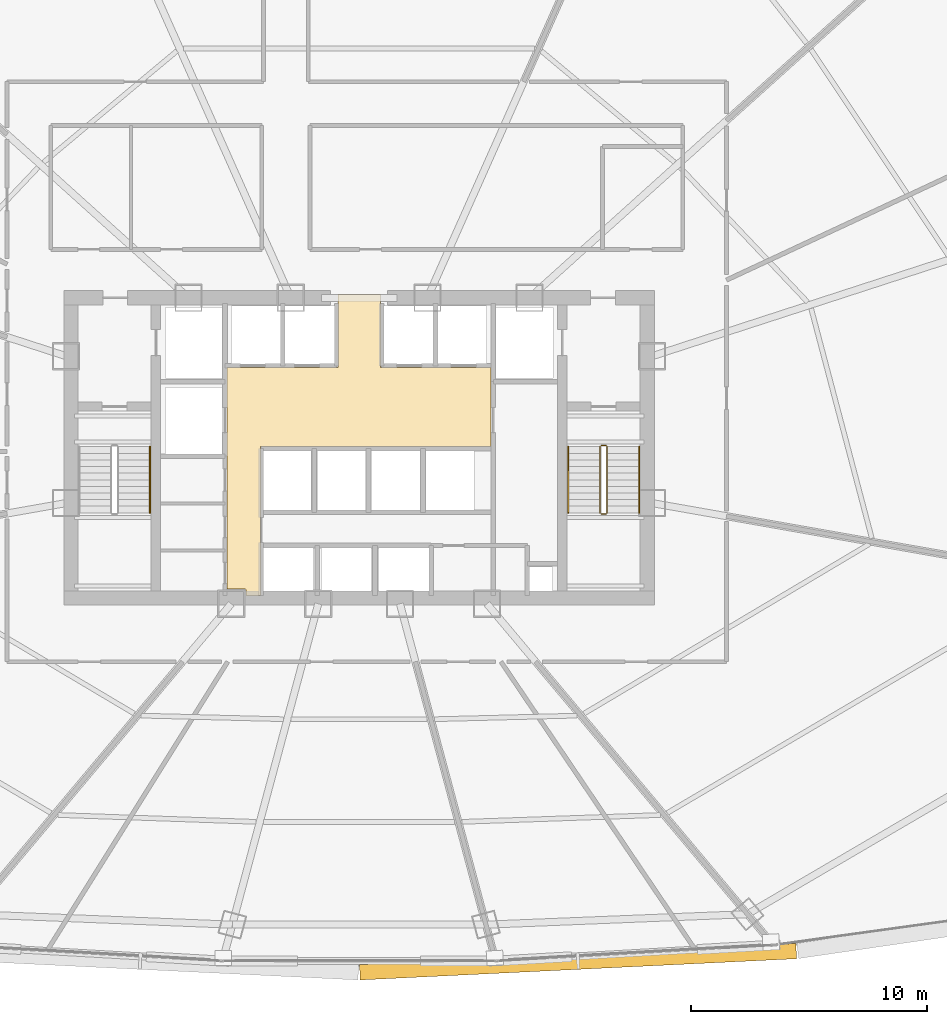
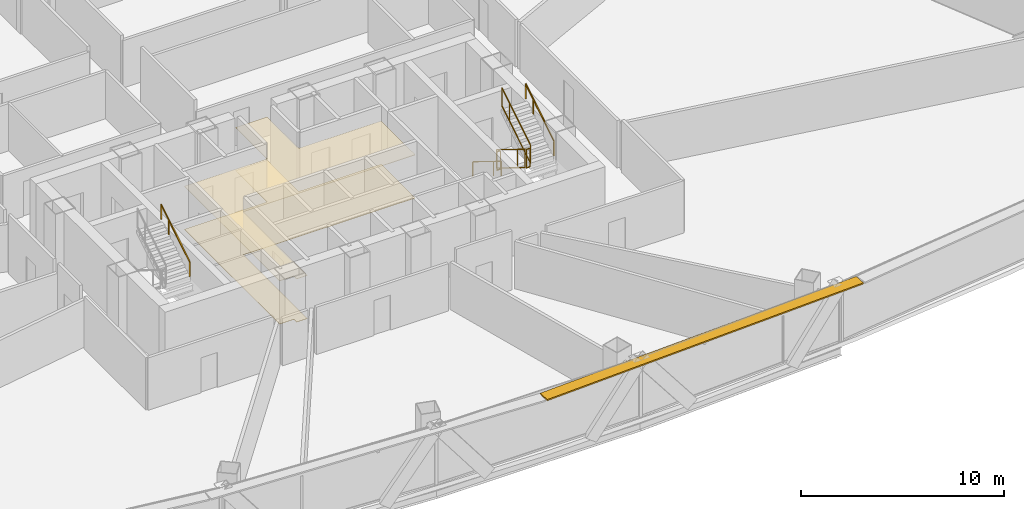
# One storey, part 34 of 36: 7 railings, 2 coverings, 1 shading device.
"""IFC4 building model written with IfcOpenShell, lengths in metres."""

from ifc_helpers import new_model, si_unit, direction, frame, origin, origin_2d, place, context, subcontext, project, spatial, polyline, rectangle, outline, extrude, source, transform, mapped, material, layer, layer_set, type_object, element, save


model = new_model("IFC4")

# Units and contexts
model_context = context("Model", 3, precision=1e-05, world=origin(), true_north=direction((0.0, 1.0)))
body_context = subcontext(model_context, "Body", "Model", "MODEL_VIEW")
ifc_project = project(units=[si_unit("LENGTHUNIT", "METRE"), si_unit("AREAUNIT", "SQUARE_METRE"), si_unit("VOLUMEUNIT", "CUBIC_METRE"), si_unit("PLANEANGLEUNIT", "RADIAN"), si_unit("MASSUNIT", "GRAM", prefix="KILO"), si_unit("THERMODYNAMICTEMPERATUREUNIT", "KELVIN"), si_unit("POWERUNIT", "WATT")], contexts=[model_context])

# Site, building, storey
site_placement = place(None, origin())
site = spatial("IfcSite", under=ifc_project, at=site_placement, CompositionType="ELEMENT")
building_placement = place(site_placement, origin())
building = spatial("IfcBuilding", under=site, at=building_placement, Name="Yunzhuo Pagoda Commons", CompositionType="ELEMENT")
storey_placement = place(building_placement, frame((0.0, 0.0, 107.780029296875)))
storey = spatial("IfcBuildingStorey", under=building, at=storey_placement, Name="L27", CompositionType="ELEMENT", Elevation=107.780029296875)

# Coverings
ifc_material_1 = material(Name="Mineral fibre acoustic ceiling board")
ifc_layer_1 = layer(ifc_material_1, 0.02490234375)
ifc_layer_set_1 = layer_set([ifc_layer_1], Name="Mineral fibre acoustic ceiling board")
covering_type_1 = type_object("IfcCoveringType", Name="COV-CL1 Ceiling 25", PredefinedType="CEILING", material=ifc_layer_set_1)
covering_1_placement = place(storey_placement, frame((0.0, 0.0, 2.590087890625)))
element("IfcCovering", 1, at=covering_1_placement, inside=storey, type_object=covering_type_1, Name="L27 lift lobby acoustic ceiling", PredefinedType="CEILING", context=body_context, shape_type="SweptSolid", body=[
    extrude(outline(polyline([(43.207763671875, 27.85009765625), (43.201904296875, 27.864013671875), (43.187744140625, 27.8701171875), (42.39990234375, 27.8701171875), (42.39990234375, 33.89990234375), (42.39990234375, 37.25), (47.10009765625, 37.25), (47.10009765625, 40.35009765625), (48.89990234375, 40.35009765625), (48.89990234375, 37.25), (53.580078125, 37.25), (53.580078125, 33.89990234375), (43.820068359375, 33.89990234375), (43.820068359375, 27.60009765625), (43.207763671875, 27.60009765625), (43.207763671875, 27.85009765625)])), origin(), (0.0, 0.0, 1.0), 0.02490234375),
])
ifc_material_2 = material(Name="Porcelain ceramic floor tile")
ifc_layer_2 = layer(ifc_material_2, 0.02001953125)
ifc_layer_set_2 = layer_set([ifc_layer_2], Name="Porcelain ceramic floor tile")
covering_type_2 = type_object("IfcCoveringType", Name="COV-FL1 Flooring 20", PredefinedType="FLOORING", material=ifc_layer_set_2)
covering_2_placement = place(storey_placement, origin())
element("IfcCovering", 2, at=covering_2_placement, inside=storey, type_object=covering_type_2, Name="L27 lift lobby flooring", PredefinedType="FLOORING", context=body_context, shape_type="SweptSolid", body=[
    extrude(outline(polyline([(43.207763671875, 27.85009765625), (43.201904296875, 27.864013671875), (43.187744140625, 27.8701171875), (42.39990234375, 27.8701171875), (42.39990234375, 33.89990234375), (42.39990234375, 37.25), (47.10009765625, 37.25), (47.10009765625, 40.35009765625), (48.89990234375, 40.35009765625), (48.89990234375, 37.25), (53.580078125, 37.25), (53.580078125, 33.89990234375), (43.820068359375, 33.89990234375), (43.820068359375, 27.60009765625), (43.207763671875, 27.60009765625), (43.207763671875, 27.85009765625)])), origin(), (0.0, 0.0, 1.0), 0.02001953125),
])

# Railings
ifc_material_3 = material(Name="Anodized aluminium 6063-T6", Category="aluminium")
railing_type_1 = type_object("IfcRailingType", Name="GR-ST2 Stair Well Guardrail 1160", PredefinedType="GUARDRAIL", material=ifc_material_3)
railing_1_placement = place(storey_placement, frame((58.199951171875, 33.89990234375, 0.172607421875)))
element("IfcRailing", 3, at=railing_1_placement, inside=storey, type_object=railing_type_1, Name="L27 ST2 stair guard 1", PredefinedType="GUARDRAIL", context=body_context, shape_type="SweptSolid", body=[
    extrude(rectangle(XDim=0.048095703125, YDim=0.048095703125, at=origin_2d()), frame((0.0, 0.0, 1.1259765625), z_axis=(0.0, -0.851069175582, 0.525053576669), x_axis=(1.0, 0.0, 0.0)), (0.0, 0.0, 1.0), 3.289794921875),
    extrude(rectangle(XDim=0.048095703125, YDim=0.048095703125, at=origin_2d()), frame((0.0, 0.0, 0.02392578125), z_axis=(0.0, -0.851069175582, 0.525053576669), x_axis=(1.0, 0.0, 0.0)), (0.0, 0.0, 1.0), 3.289794921875),
    extrude(rectangle(XDim=0.0419921875, YDim=0.0419921875, at=origin_2d()), origin(), (0.0, 0.0, 1.0), 1.101806640625),
    extrude(rectangle(XDim=0.0419921875, YDim=0.0419921875, at=origin_2d()), frame((0.0, -2.04248046875, 1.260009765625)), (0.0, 0.0, 1.0), 1.101806640625),
    extrude(rectangle(XDim=0.0419921875, YDim=0.0419921875, at=origin_2d()), frame((0.0, -2.7998046875, 1.727294921875)), (0.0, 0.0, 1.0), 1.101806640625),
])
railing_2_placement = place(storey_placement, frame((58.25, 31.050048828125, 1.89990234375)))
element("IfcRailing", 4, at=railing_2_placement, inside=storey, type_object=railing_type_1, Name="L27 ST2 stair guard 2", PredefinedType="GUARDRAIL", context=body_context, shape_type="SweptSolid", body=[
    extrude(rectangle(XDim=0.048095703125, YDim=0.048095703125, at=origin_2d()), frame((0.0, 0.0, 1.1259765625), z_axis=(1.0, 0.0, 0.0), x_axis=(0.0, 1.0, 0.0)), (0.0, 0.0, 1.0), 0.199951171875),
    extrude(rectangle(XDim=0.048095703125, YDim=0.048095703125, at=origin_2d()), frame((0.0, 0.0, 0.02392578125), z_axis=(1.0, 0.0, 0.0), x_axis=(0.0, 1.0, 0.0)), (0.0, 0.0, 1.0), 0.199951171875),
    extrude(rectangle(XDim=0.0419921875, YDim=0.0419921875, at=origin_2d()), origin(), (0.0, 0.0, 1.0), 1.101806640625),
    extrude(rectangle(XDim=0.0419921875, YDim=0.0419921875, at=origin_2d()), frame((0.199951171875, 0.0, 0.0)), (0.0, 0.0, 1.0), 1.101806640625),
])
railing_3_placement = place(storey_placement, frame((58.5, 31.10009765625, 2.07275390625)))
element("IfcRailing", 5, at=railing_3_placement, inside=storey, type_object=railing_type_1, Name="L27 ST2 stair guard 3", PredefinedType="GUARDRAIL", context=body_context, shape_type="SweptSolid", body=[
    extrude(rectangle(XDim=0.048095703125, YDim=0.048095703125, at=origin_2d()), frame((0.0, 0.0, 1.1259765625), z_axis=(0.0, 0.851069175582, 0.525053576669), x_axis=(-1.0, 0.0, 0.0)), (0.0, 0.0, 1.0), 3.289794921875),
    extrude(rectangle(XDim=0.048095703125, YDim=0.048095703125, at=origin_2d()), frame((0.0, 0.0, 0.02392578125), z_axis=(0.0, 0.851069175582, 0.525053576669), x_axis=(-1.0, 0.0, 0.0)), (0.0, 0.0, 1.0), 3.289794921875),
    extrude(rectangle(XDim=0.0419921875, YDim=0.0419921875, at=origin_2d()), origin(), (0.0, 0.0, 1.0), 1.101806640625),
    extrude(rectangle(XDim=0.0419921875, YDim=0.0419921875, at=origin_2d()), frame((0.0, 2.04248046875, 1.260009765625)), (0.0, 0.0, 1.0), 1.101806640625),
    extrude(rectangle(XDim=0.0419921875, YDim=0.0419921875, at=origin_2d()), frame((0.0, 2.7998046875, 1.727294921875)), (0.0, 0.0, 1.0), 1.101806640625),
])
railing_4_placement = place(storey_placement, frame((58.25, 33.949951171875, 0.0)))
element("IfcRailing", 6, at=railing_4_placement, inside=storey, type_object=railing_type_1, Name="L27 ST2 stair guard 4", PredefinedType="GUARDRAIL", context=body_context, shape_type="SweptSolid", body=[
    extrude(rectangle(XDim=0.048095703125, YDim=0.048095703125, at=origin_2d()), frame((0.0, 0.0, 1.1259765625), z_axis=(1.0, 0.0, 0.0), x_axis=(0.0, 1.0, 0.0)), (0.0, 0.0, 1.0), 0.199951171875),
    extrude(rectangle(XDim=0.048095703125, YDim=0.048095703125, at=origin_2d()), frame((0.0, 0.0, 0.02392578125), z_axis=(1.0, 0.0, 0.0), x_axis=(0.0, 1.0, 0.0)), (0.0, 0.0, 1.0), 0.199951171875),
    extrude(rectangle(XDim=0.0419921875, YDim=0.0419921875, at=origin_2d()), origin(), (0.0, 0.0, 1.0), 1.101806640625),
    extrude(rectangle(XDim=0.0419921875, YDim=0.0419921875, at=origin_2d()), frame((0.199951171875, 0.0, 0.0)), (0.0, 0.0, 1.0), 1.101806640625),
])
railing_type_2 = type_object("IfcRailingType", Name="HR-ST1 Stair Handrail 900", PredefinedType="HANDRAIL", material=ifc_material_3)
railing_5_placement = place(storey_placement, frame((39.14990234375, 31.10009765625, 2.07275390625)))
element("IfcRailing", 7, at=railing_5_placement, inside=storey, type_object=railing_type_2, Name="L27 ST1 stair handrail 2", PredefinedType="HANDRAIL", context=body_context, shape_type="SweptSolid", body=[
    extrude(rectangle(XDim=0.048095703125, YDim=0.048095703125, at=origin_2d()), frame((0.0, 0.0, 0.8759765625), z_axis=(0.0, 0.851069175582, 0.525053576669), x_axis=(-1.0, 0.0, 0.0)), (0.0, 0.0, 1.0), 3.289794921875),
    extrude(rectangle(XDim=0.0419921875, YDim=0.0419921875, at=origin_2d()), origin(), (0.0, 0.0, 1.0), 0.851806640625),
    extrude(rectangle(XDim=0.0419921875, YDim=0.0419921875, at=origin_2d()), frame((0.0, 2.04248046875, 1.260009765625)), (0.0, 0.0, 1.0), 0.851806640625),
    extrude(rectangle(XDim=0.0419921875, YDim=0.0419921875, at=origin_2d()), frame((0.0, 2.7998046875, 1.727294921875)), (0.0, 0.0, 1.0), 0.851806640625),
])
railing_type_3 = type_object("IfcRailingType", Name="HR-ST2 Stair Handrail 900", PredefinedType="HANDRAIL", material=ifc_material_3)
railing_6_placement = place(storey_placement, frame((56.85009765625, 33.89990234375, 0.172607421875)))
element("IfcRailing", 8, at=railing_6_placement, inside=storey, type_object=railing_type_3, Name="L27 ST2 stair handrail 1", PredefinedType="HANDRAIL", context=body_context, shape_type="SweptSolid", body=[
    extrude(rectangle(XDim=0.048095703125, YDim=0.048095703125, at=origin_2d()), frame((0.0, 0.0, 0.8759765625), z_axis=(0.0, -0.851069175582, 0.525053576669), x_axis=(1.0, 0.0, 0.0)), (0.0, 0.0, 1.0), 3.289794921875),
    extrude(rectangle(XDim=0.0419921875, YDim=0.0419921875, at=origin_2d()), origin(), (0.0, 0.0, 1.0), 0.851806640625),
    extrude(rectangle(XDim=0.0419921875, YDim=0.0419921875, at=origin_2d()), frame((0.0, -2.04248046875, 1.260009765625)), (0.0, 0.0, 1.0), 0.851806640625),
    extrude(rectangle(XDim=0.0419921875, YDim=0.0419921875, at=origin_2d()), frame((0.0, -2.7998046875, 1.727294921875)), (0.0, 0.0, 1.0), 0.851806640625),
])
railing_7_placement = place(storey_placement, frame((59.85009765625, 31.10009765625, 2.07275390625)))
element("IfcRailing", 9, at=railing_7_placement, inside=storey, type_object=railing_type_3, Name="L27 ST2 stair handrail 2", PredefinedType="HANDRAIL", context=body_context, shape_type="SweptSolid", body=[
    extrude(rectangle(XDim=0.048095703125, YDim=0.048095703125, at=origin_2d()), frame((0.0, 0.0, 0.8759765625), z_axis=(0.0, 0.851069175582, 0.525053576669), x_axis=(-1.0, 0.0, 0.0)), (0.0, 0.0, 1.0), 3.289794921875),
    extrude(rectangle(XDim=0.0419921875, YDim=0.0419921875, at=origin_2d()), origin(), (0.0, 0.0, 1.0), 0.851806640625),
    extrude(rectangle(XDim=0.0419921875, YDim=0.0419921875, at=origin_2d()), frame((0.0, 2.04248046875, 1.260009765625)), (0.0, 0.0, 1.0), 0.851806640625),
    extrude(rectangle(XDim=0.0419921875, YDim=0.0419921875, at=origin_2d()), frame((0.0, 2.7998046875, 1.727294921875)), (0.0, 0.0, 1.0), 0.851806640625),
])

# Shading device
ifc_layer_3 = layer(ifc_material_3, 0.080078125)
ifc_layer_set_3 = layer_set([ifc_layer_3], Name="Anodized aluminium 6063-T6")
shading_device_type = type_object("IfcShadingDeviceType", Name="SH-SUN1 Pagoda Horizontal Sunshade Eave 650", PredefinedType="USERDEFINED", material=ifc_layer_set_3)
shared_shape = source(origin(), body_context, "Body", "SweptSolid", [
    extrude(rectangle(XDim=18.493408203125, YDim=0.64990234375, at=origin_2d()), origin(), (0.0, 0.0, 1.0), 0.080078125),
])
shading_device_placement = place(storey_placement, frame((57.267333984375, 12.1005859375, 3.4599609375), z_axis=(0.0, 0.0, 1.0), x_axis=(0.998818043775, 0.04860571396, 0.0)))
element("IfcShadingDevice", 10, at=shading_device_placement, inside=storey, type_object=shading_device_type, Name="L27 horizontal pagoda sunshade eave F1.3", ObjectType="SUNSHADE", PredefinedType="USERDEFINED", context=body_context, shape_type="MappedRepresentation", body=[
    mapped(shared_shape, transform((0.0, 0.0, 0.0), scale=1.0)),
])

save(model, "model.ifc")
